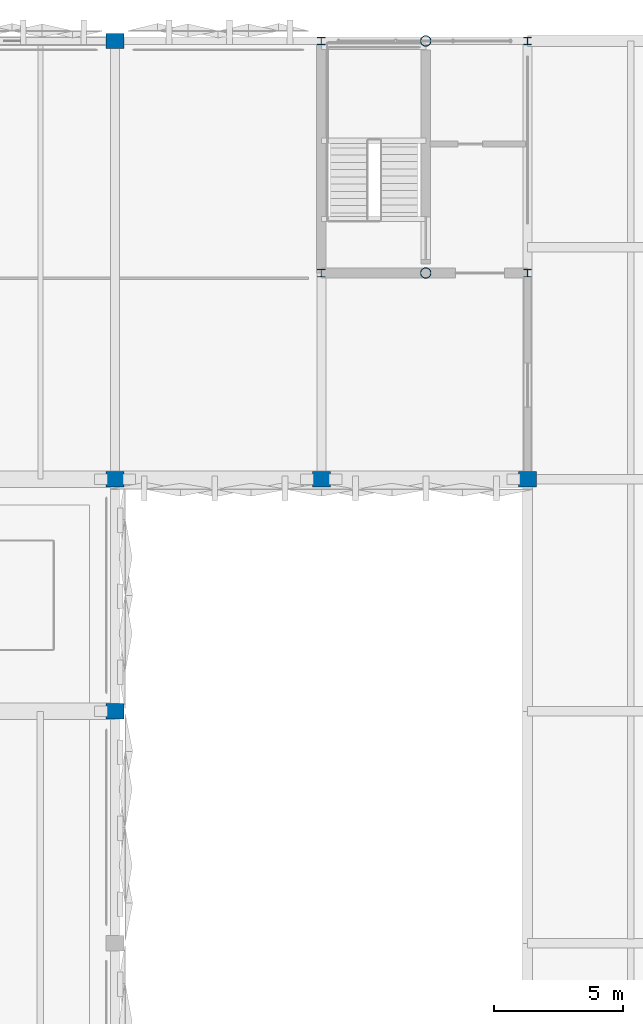
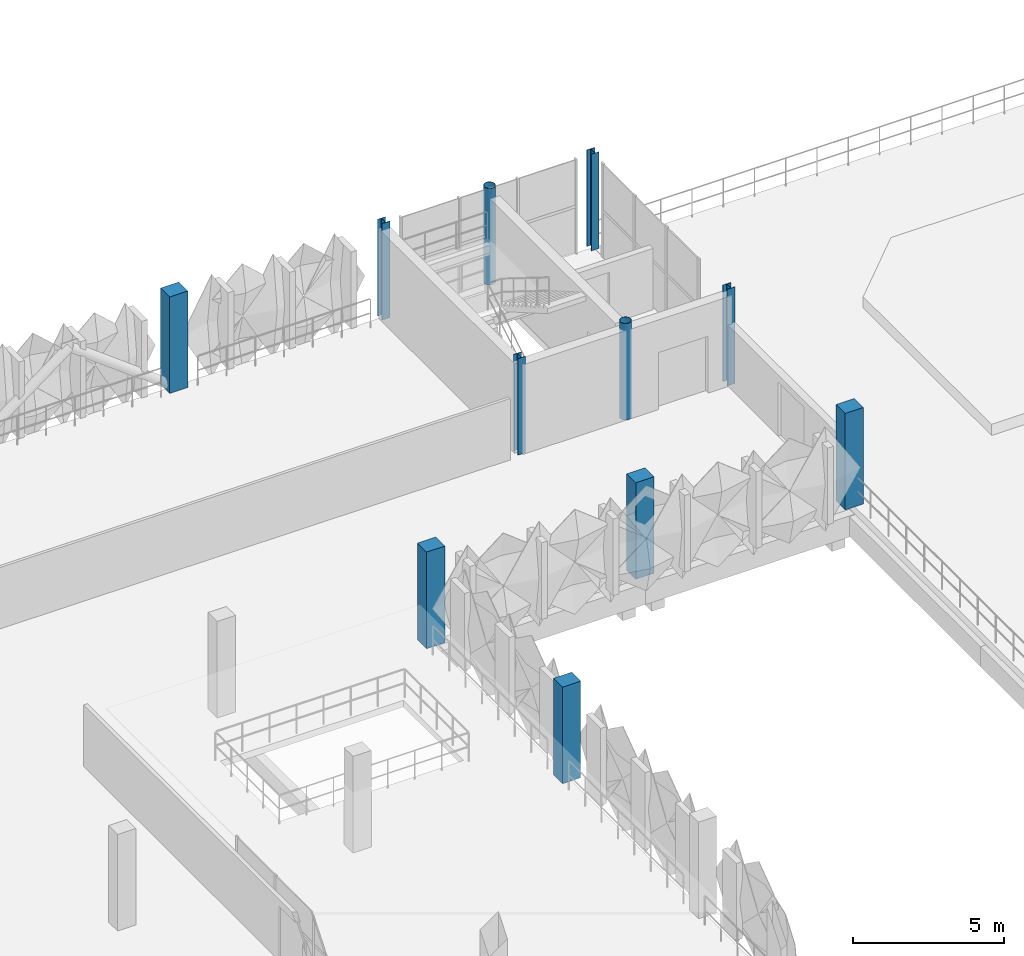
# One storey, part 7 of 52: 11 columns.
"""IFC4 building model written with IfcOpenShell, lengths in metres."""

import ifcopenshell
import ifcopenshell.guid

model = None  # the IFC model being written
_history = None  # IfcOwnerHistory: only IFC2X3 demands one
_inside = {}  # id of a spatial element -> (the spatial element, [elements in it])
_under = {}  # id of a project, library or spatial element -> (it, [spatial elements below it])
_declared = {}  # id of a project -> (the project, [libraries it declares])
_typed = {}  # id of a type object -> (the type object, [elements of that type])
_made_of = {}  # id of a material, layer set ... -> (it, [elements and type objects made of it])


def new_model(schema):
    """Start an empty IFC model of exactly this schema.

    Asked for "IFC4X3", IfcOpenShell would pick the latest addendum, in which some entities
    have other attributes; the version numbers below select the first issue.
    IFC2X3 requires an IfcOwnerHistory on every rooted entity: one is made here for all.
    """
    global model, _history
    if schema == "IFC4X3":
        model = ifcopenshell.file(schema_version=(4, 3, 0, 0))
    else:
        model = ifcopenshell.file(schema=schema)
    _inside.clear()
    _under.clear()
    _declared.clear()
    _typed.clear()
    _made_of.clear()
    _history = None
    if model.schema == "IFC2X3":
        org = make("IfcOrganization", Name="unknown")
        user = make(
            "IfcPersonAndOrganization",
            ThePerson=make("IfcPerson", FamilyName="unknown"),
            TheOrganization=org,
        )
        app = make(
            "IfcApplication",
            ApplicationDeveloper=org,
            Version="unknown",
            ApplicationFullName="unknown",
            ApplicationIdentifier="unknown",
        )
        _history = make(
            "IfcOwnerHistory",
            OwningUser=user,
            OwningApplication=app,
            ChangeAction="ADDED",
            CreationDate=0,
        )
    return model


def make(cls, **values):
    """One entity of the class cls with the attributes given. An attribute that is None is left unset."""
    return model.create_entity(
        cls, **{name: value for name, value in values.items() if value is not None}
    )


def rooted(cls, **values):
    """An entity with a GlobalId (a new one), such as an element, a storey or a relation."""
    return make(cls, GlobalId=ifcopenshell.guid.new(), OwnerHistory=_history, **values)


def si_unit(unit_type, name, prefix=None):
    """IfcSIUnit, for example si_unit("LENGTHUNIT", "METRE", prefix="MILLI")."""
    return make("IfcSIUnit", UnitType=unit_type, Prefix=prefix, Name=name)


def derived_unit(unit_type, elements):
    """IfcDerivedUnit: a product of units, each with its exponent."""
    return make(
        "IfcDerivedUnit",
        Elements=[
            make("IfcDerivedUnitElement", Unit=unit, Exponent=power)
            for unit, power in elements
        ],
        UnitType=unit_type,
    )


def assignment(units):
    """IfcUnitAssignment: the units of a project."""
    return None if units is None else make("IfcUnitAssignment", Units=units)


def point(xyz):
    """IfcCartesianPoint."""
    return None if xyz is None else make("IfcCartesianPoint", Coordinates=xyz)


def direction(xyz):
    """IfcDirection."""
    return None if xyz is None else make("IfcDirection", DirectionRatios=xyz)


def frame(location, z_axis=None, x_axis=None):
    """IfcAxis2Placement3D, a coordinate frame: its origin and axes. An axis left out is left unset."""
    return make(
        "IfcAxis2Placement3D",
        Location=point(location),
        Axis=direction(z_axis),
        RefDirection=direction(x_axis),
    )


def frame_2d(location, x_axis=None):
    """IfcAxis2Placement2D, a coordinate frame in the plane: its origin and x axis."""
    return make(
        "IfcAxis2Placement2D", Location=point(location), RefDirection=direction(x_axis)
    )


def origin():
    """The frame at (0, 0, 0) with its axes left unset."""
    return frame((0.0, 0.0, 0.0))


def origin_2d():
    """The frame at (0, 0) in the plane with its x axis left unset."""
    return frame_2d((0.0, 0.0))


def place(relative_to, where):
    """IfcLocalPlacement: puts the frame where relative to a parent placement (None: the world)."""
    return make(
        "IfcLocalPlacement", PlacementRelTo=relative_to, RelativePlacement=where
    )


def context(
    kind, dimensions, precision=None, world=None, true_north=None, identifier=None
):
    """IfcGeometricRepresentationContext, for example the 3D "Model" context."""
    return make(
        "IfcGeometricRepresentationContext",
        ContextIdentifier=identifier,
        ContextType=kind,
        CoordinateSpaceDimension=dimensions,
        Precision=precision,
        WorldCoordinateSystem=world,
        TrueNorth=true_north,
    )


def subcontext(parent, identifier, kind, view, scale=None):
    """IfcGeometricRepresentationSubContext, for example "Body" below "Model"."""
    return make(
        "IfcGeometricRepresentationSubContext",
        ContextIdentifier=identifier,
        ContextType=kind,
        ParentContext=parent,
        TargetScale=scale,
        TargetView=view,
    )


def project(units=None, contexts=None):
    """IfcProject with its units and contexts."""
    return rooted(
        "IfcProject",
        Name="project",
        RepresentationContexts=contexts,
        UnitsInContext=assignment(units),
    )


def spatial(cls, under=None, at=None, **own):
    """A site, building, storey or space (cls), placed at a placement, below another one or the project."""
    s = rooted(cls, ObjectPlacement=at, **own)
    if under is not None:
        _under.setdefault(under.id(), (under, []))[1].append(s)
    return s


def profile(cls, at=None, kind="AREA", **sizes):
    """A parametric profile (cls). Its sizes go by their IFC names, for example OverallWidth=200.0."""
    return make(cls, ProfileType=kind, Position=at, **sizes)


def rectangle(**sizes):
    """IfcRectangleProfileDef."""
    return profile("IfcRectangleProfileDef", **sizes)


def hollow_circle(**sizes):
    """IfcCircleHollowProfileDef."""
    return profile("IfcCircleHollowProfileDef", **sizes)


def i_section(**sizes):
    """IfcIShapeProfileDef."""
    return profile("IfcIShapeProfileDef", **sizes)


def extrude(swept, where, along, depth):
    """IfcExtrudedAreaSolid: the profile swept, set in the frame where, extruded along a direction by depth."""
    return make(
        "IfcExtrudedAreaSolid",
        SweptArea=swept,
        Position=where,
        ExtrudedDirection=direction(along),
        Depth=depth,
    )


def shape(context_of_items, identifier, shape_type, items):
    """IfcShapeRepresentation: the items that make up one representation, for example the "Body"."""
    return make(
        "IfcShapeRepresentation",
        ContextOfItems=context_of_items,
        RepresentationIdentifier=identifier,
        RepresentationType=shape_type,
        Items=items,
    )


def material(Name=None, Category=None):
    """IfcMaterial."""
    return make("IfcMaterial", Name=Name, Category=Category)


def material_profile(
    of_material, cross_section, Name=None, Category=None, Priority=None
):
    """IfcMaterialProfile: a cross section and its material."""
    return make(
        "IfcMaterialProfile",
        Name=Name,
        Material=of_material,
        Profile=cross_section,
        Priority=Priority,
        Category=Category,
    )


def profile_set(profiles, Name=None, composite=None):
    """IfcMaterialProfileSet."""
    return make(
        "IfcMaterialProfileSet",
        Name=Name,
        MaterialProfiles=profiles,
        CompositeProfile=composite,
    )


def made_of(thing, what):
    """Note that an element or type object is made of a material, layer set ...; save() writes the relation."""
    if what is not None:
        _made_of.setdefault(what.id(), (what, []))[1].append(thing)
    return thing


def type_object(cls, material=None, **own):
    """A type object (cls), such as IfcWallType, which elements share."""
    return made_of(rooted(cls, **own), material)


def element(
    cls,
    number,
    at=None,
    inside=None,
    cuts=None,
    type_object=None,
    material=None,
    context=None,
    identifier="Body",
    shape_type=None,
    held_by="IfcProductDefinitionShape",
    body=None,
    shapes=None,
    **own,
):
    """One element of the class cls, such as IfcWall. Its Tag is "e" and its number.

    at: its placement. inside: the storey or other place that contains it. cuts: it is an
    opening in that element (IfcRelVoidsElement). A single representation is given by context,
    identifier, shape_type and body (its items); several are given by shapes. held_by: the class
    of the entity that holds the representations. save() writes the other relations.
    """
    e = rooted(cls, Tag="e%d" % number, ObjectPlacement=at, **own)
    if body is not None:
        shapes = [shape(context, identifier, shape_type, body)]
    if shapes is not None:
        e.Representation = make(held_by, Representations=shapes)
    if inside is not None:
        _inside.setdefault(inside.id(), (inside, []))[1].append(e)
    if cuts is not None:
        rooted(
            "IfcRelVoidsElement", RelatingBuildingElement=cuts, RelatedOpeningElement=e
        )
    if type_object is not None:
        _typed.setdefault(type_object.id(), (type_object, []))[1].append(e)
    return made_of(e, material)


def aggregate(whole, parts):
    """IfcRelAggregates: a whole, such as a stair, and the parts it consists of."""
    return rooted("IfcRelAggregates", RelatingObject=whole, RelatedObjects=parts)


def save(model, path):
    """Write the relations noted so far, then the file.

    IfcRelAggregates (storeys below a building ...), IfcRelContainedInSpatialStructure (elements
    in a storey), IfcRelDefinesByType, IfcRelAssociatesMaterial and IfcRelDeclares: one each for
    every whole, place, type object, material and project.
    """
    for whole, parts in _under.values():
        aggregate(whole, parts)
    for where, things in _inside.values():
        rooted(
            "IfcRelContainedInSpatialStructure",
            RelatedElements=things,
            RelatingStructure=where,
        )
    for kind, things in _typed.values():
        rooted("IfcRelDefinesByType", RelatedObjects=things, RelatingType=kind)
    for what, things in _made_of.values():
        rooted("IfcRelAssociatesMaterial", RelatedObjects=things, RelatingMaterial=what)
    for by, libraries in _declared.values():
        rooted("IfcRelDeclares", RelatingContext=by, RelatedDefinitions=libraries)
    model.write(path)


model = new_model("IFC4")

# Units and contexts
model_context = context("Model", 3, precision=1e-05, world=origin(), true_north=direction((0.0, 1.0)))
body_context = subcontext(model_context, "Body", "Model", "MODEL_VIEW")
ifc_project = project(units=[si_unit("LENGTHUNIT", "METRE"), si_unit("AREAUNIT", "SQUARE_METRE"), si_unit("VOLUMEUNIT", "CUBIC_METRE"), si_unit("PLANEANGLEUNIT", "RADIAN"), si_unit("MASSUNIT", "GRAM", prefix="KILO"), si_unit("THERMODYNAMICTEMPERATUREUNIT", "KELVIN"), derived_unit("THERMALTRANSMITTANCEUNIT", [(si_unit("POWERUNIT", "WATT"), 1), (si_unit("AREAUNIT", "SQUARE_METRE"), -1), (si_unit("THERMODYNAMICTEMPERATUREUNIT", "KELVIN"), -1)])], contexts=[model_context])

# Site, building, storey
site_placement = place(None, origin())
site = spatial("IfcSite", under=ifc_project, at=site_placement, CompositionType="ELEMENT")
building_placement = place(site_placement, origin())
building = spatial("IfcBuilding", under=site, at=building_placement, Name="Haiyu Intermodal Mobility Hub", CompositionType="ELEMENT")
storey_placement = place(building_placement, frame((0.0, 0.0, 21.199951171875)))
storey = spatial("IfcBuildingStorey", under=building, at=storey_placement, Name="L05", CompositionType="ELEMENT", Elevation=21.199951171875)

# Columns
ifc_material_1 = material(Name="Precast concrete C40", Category="concrete")
ifc_material_profile_1 = material_profile(ifc_material_1, rectangle(XDim=0.699951171875, YDim=0.60009765625, at=origin_2d()), Name="C700x600")
ifc_profile_set_1 = profile_set([ifc_material_profile_1], Name="Precast concrete C40")
column_type_1 = type_object("IfcColumnType", Name="COL-CC21", PredefinedType="COLUMN", material=ifc_profile_set_1)
for number, where, z_axis, x_axis, name in (
    (1, (146.0, 122.0, 0.0), (0.0, 0.0, 1.0), (1.0, 0.0, 0.0), "Column V4-16P L05"),
    (2, (146.0, 131.0, 0.0), (0.0, 0.0, 1.0), (1.0, 0.0, 0.0), "Column V4-16Q L05"),
    (3, (154.0, 131.0, 0.0), (0.0, 0.0, 1.0), (1.0, 0.0, 0.0), "Column V4-17Q L05"),
):
    element("IfcColumn", number, at=place(storey_placement, frame(where, z_axis=z_axis, x_axis=x_axis)), inside=storey, type_object=column_type_1, Name=name, PredefinedType="COLUMN", context=body_context, shape_type="SweptSolid", body=[
        extrude(rectangle(XDim=0.699951171875, YDim=0.60009765625, at=origin_2d()), origin(), (0.0, 0.0, 1.0), 3.900146484375),
    ])
ifc_material_profile_2 = material_profile(ifc_material_1, rectangle(XDim=0.699951171875, YDim=0.60009765625, at=origin_2d()), Name="C700x600")
ifc_profile_set_2 = profile_set([ifc_material_profile_2], Name="Precast concrete C40")
column_type_2 = type_object("IfcColumnType", Name="COL-CC21-EXT", PredefinedType="COLUMN", material=ifc_profile_set_2)
for number, where, z_axis, x_axis, name in (
    (4, (146.0, 148.0, 0.0), (0.0, 0.0, 1.0), (1.0, 0.0, 0.0), "Column V4-16S L05"),
    (5, (162.0, 131.0, 0.0), (0.0, 0.0, 1.0), (1.0, 0.0, 0.0), "Column V4-18Q L05"),
):
    element("IfcColumn", number, at=place(storey_placement, frame(where, z_axis=z_axis, x_axis=x_axis)), inside=storey, type_object=column_type_2, Name=name, PredefinedType="COLUMN", context=body_context, shape_type="SweptSolid", body=[
        extrude(rectangle(XDim=0.699951171875, YDim=0.60009765625, at=origin_2d()), origin(), (0.0, 0.0, 1.0), 3.900146484375),
    ])
ifc_material_2 = material(Name="Steel Q355C", Category="steel")
ifc_material_profile_3 = material_profile(ifc_material_2, hollow_circle(Radius=0.202880859375, WallThickness=0.013916015625, at=origin_2d()), Name="CHS406x14")
ifc_profile_set_3 = profile_set([ifc_material_profile_3], Name="Steel Q355C")
column_type_3 = type_object("IfcColumnType", Name="COL-SC03", PredefinedType="COLUMN", material=ifc_profile_set_3)
column_1_placement = place(storey_placement, frame((158.050048828125, 139.0, 0.0), z_axis=(0.0, 0.0, 1.0), x_axis=(1.0, 0.0, 0.0)))
element("IfcColumn", 6, at=column_1_placement, inside=storey, type_object=column_type_3, Name="Column C4-MS L05", PredefinedType="COLUMN", context=body_context, shape_type="SweptSolid", body=[
    extrude(hollow_circle(Radius=0.202880859375, WallThickness=0.013916015625, at=origin_2d()), origin(), (0.0, 0.0, 1.0), 3.900146484375),
])
ifc_material_profile_4 = material_profile(ifc_material_2, hollow_circle(Radius=0.202880859375, WallThickness=0.013916015625, at=origin_2d()), Name="CHS406x14")
ifc_profile_set_4 = profile_set([ifc_material_profile_4], Name="Steel Q355C")
column_type_4 = type_object("IfcColumnType", Name="COL-SC03-EXT", PredefinedType="COLUMN", material=ifc_profile_set_4)
column_2_placement = place(storey_placement, frame((158.050048828125, 148.0, 0.0), z_axis=(0.0, 0.0, 1.0), x_axis=(1.0, 0.0, 0.0)))
element("IfcColumn", 7, at=column_2_placement, inside=storey, type_object=column_type_4, Name="Column C4-MN L05", PredefinedType="COLUMN", context=body_context, shape_type="SweptSolid", body=[
    extrude(hollow_circle(Radius=0.202880859375, WallThickness=0.013916015625, at=origin_2d()), origin(), (0.0, 0.0, 1.0), 3.900146484375),
])
ifc_material_profile_5 = material_profile(ifc_material_2, i_section(OverallWidth=0.300048828125, OverallDepth=0.300048828125, WebThickness=0.010009765625, FlangeThickness=0.014892578125, FilletRadius=0.01806640625, at=origin_2d()), Name="HW300x300x10x15")
ifc_profile_set_5 = profile_set([ifc_material_profile_5], Name="Steel Q355C")
column_type_5 = type_object("IfcColumnType", Name="COL-SC07", PredefinedType="COLUMN", material=ifc_profile_set_5)
column_3_placement = place(storey_placement, frame((154.0, 139.0, 0.0), z_axis=(0.0, 0.0, 1.0), x_axis=(1.0, 0.0, 0.0)))
element("IfcColumn", 8, at=column_3_placement, inside=storey, type_object=column_type_5, Name="Column C4-SW L05", PredefinedType="COLUMN", context=body_context, shape_type="SweptSolid", body=[
    extrude(i_section(OverallWidth=0.300048828125, OverallDepth=0.300048828125, WebThickness=0.010009765625, FlangeThickness=0.014892578125, FilletRadius=0.01806640625, at=origin_2d()), origin(), (0.0, 0.0, 1.0), 3.900146484375),
])
ifc_material_profile_6 = material_profile(ifc_material_2, i_section(OverallWidth=0.300048828125, OverallDepth=0.300048828125, WebThickness=0.010009765625, FlangeThickness=0.014892578125, FilletRadius=0.01806640625, at=origin_2d()), Name="HW300x300x10x15")
ifc_profile_set_6 = profile_set([ifc_material_profile_6], Name="Steel Q355C")
column_type_6 = type_object("IfcColumnType", Name="COL-SC07-EXT", PredefinedType="COLUMN", material=ifc_profile_set_6)
for number, where, z_axis, x_axis, name in (
    (9, (154.0, 148.0, 0.0), (0.0, 0.0, 1.0), (1.0, 0.0, 0.0), "Column C4-NW L05"),
    (10, (162.0, 148.0, 0.0), (0.0, 0.0, 1.0), (1.0, 0.0, 0.0), "Column C4-NE L05"),
    (11, (162.0, 139.0, 0.0), (0.0, 0.0, 1.0), (1.0, 0.0, 0.0), "Column C4-SE L05"),
):
    element("IfcColumn", number, at=place(storey_placement, frame(where, z_axis=z_axis, x_axis=x_axis)), inside=storey, type_object=column_type_6, Name=name, PredefinedType="COLUMN", context=body_context, shape_type="SweptSolid", body=[
        extrude(i_section(OverallWidth=0.300048828125, OverallDepth=0.300048828125, WebThickness=0.010009765625, FlangeThickness=0.014892578125, FilletRadius=0.01806640625, at=origin_2d()), origin(), (0.0, 0.0, 1.0), 3.900146484375),
    ])

save(model, "model.ifc")
